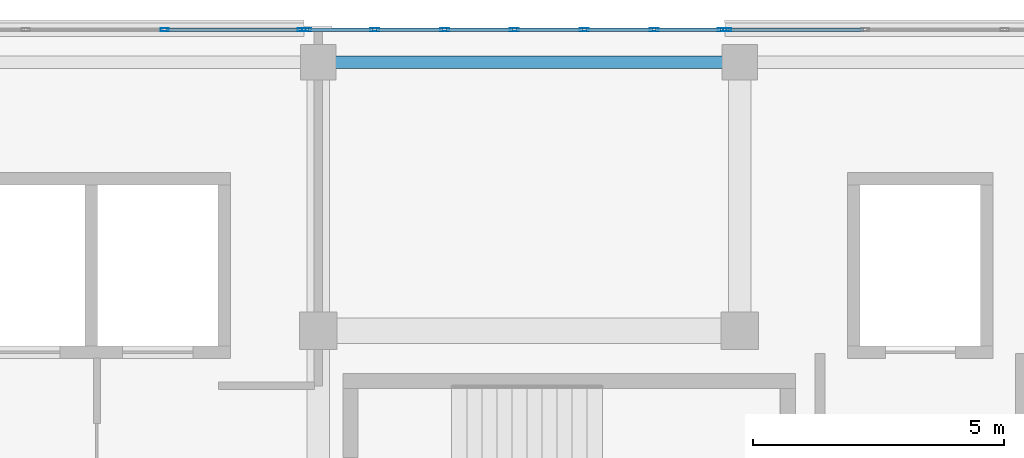
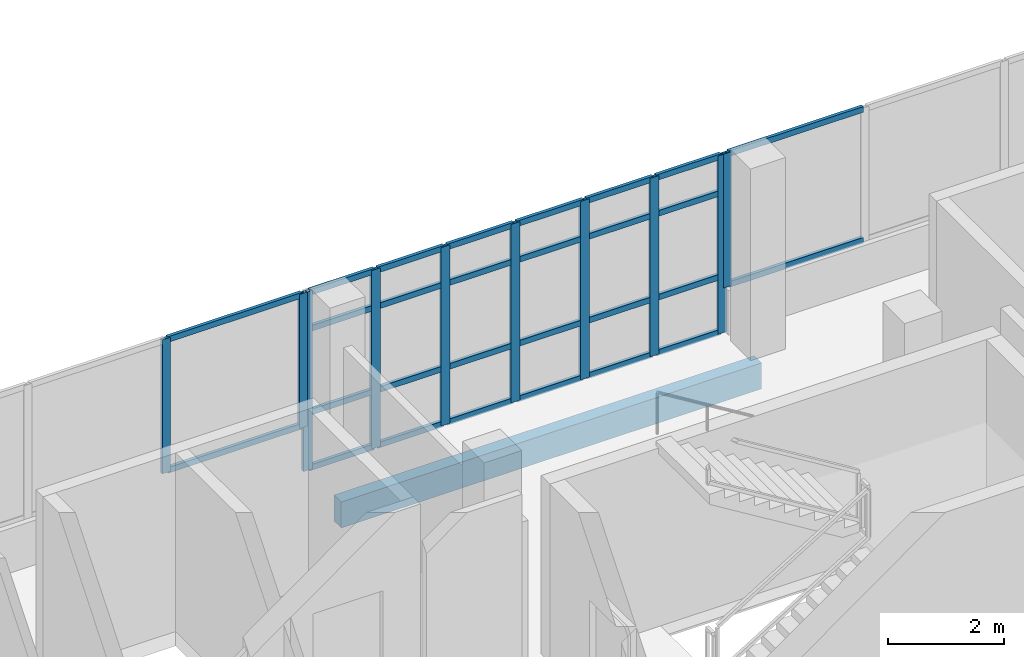
# One storey, part 53 of 101: 38 members, 1 beam, 3 elements without a shape of their own.
"""IFC4 building model written with IfcOpenShell, lengths in metres."""

from ifc_helpers import new_model, si_unit, direction, frame, origin, origin_2d, place, context, subcontext, project, spatial, rectangle, hollow_rectangle, extrude, material, material_profile, profile_set, type_object, element, aggregate, save


model = new_model("IFC4")

# Units and contexts
model_context = context("Model", 3, precision=1e-05, world=origin(), true_north=direction((0.0, 1.0)))
body_context = subcontext(model_context, "Body", "Model", "MODEL_VIEW")
ifc_project = project(units=[si_unit("LENGTHUNIT", "METRE"), si_unit("AREAUNIT", "SQUARE_METRE"), si_unit("VOLUMEUNIT", "CUBIC_METRE"), si_unit("PLANEANGLEUNIT", "RADIAN"), si_unit("MASSUNIT", "GRAM", prefix="KILO")], contexts=[model_context])

# Site, building, storey
site_placement = place(None, origin())
site = spatial("IfcSite", under=ifc_project, at=site_placement, CompositionType="ELEMENT")
building_placement = place(site_placement, origin())
building = spatial("IfcBuilding", under=site, at=building_placement, Name="Selatvlak General Hospital", CompositionType="ELEMENT")
storey_placement = place(building_placement, frame((0.0, 0.0, 19.199951171875)))
storey = spatial("IfcBuildingStorey", under=building, at=storey_placement, Name="L04", CompositionType="ELEMENT", Elevation=19.199951171875)

# Beam
ifc_material_1 = material(Name="Concrete C40/50", Category="concrete")
ifc_material_profile_1 = material_profile(ifc_material_1, rectangle(XDim=0.25, YDim=0.550048828125, at=origin_2d()), Name="RC-SP 250x550")
ifc_profile_set_1 = profile_set([ifc_material_profile_1], Name="Concrete C40/50")
beam_type = type_object("IfcBeamType", Name="BM-SP2", PredefinedType="SPANDREL", material=ifc_profile_set_1)
beam_placement = place(storey_placement, frame((132.0, 119.35009765625, -0.579833984375), z_axis=(1.0, 0.0, 0.0), x_axis=(0.0, 1.0, 0.0)))
element("IfcBeam", 1, at=beam_placement, inside=storey, type_object=beam_type, Name="Beam BMR-L04-1637", PredefinedType="SPANDREL", context=body_context, shape_type="SweptSolid", body=[
    extrude(rectangle(XDim=0.25, YDim=0.550048828125, at=origin_2d()), origin(), (0.0, 0.0, 1.0), 8.39990234375),
])

# Curtain wall, members
ifc_material_2 = material(Name="Solar-control Low-E double glazing", Category="glass")
curtain_wall_type_1 = type_object("IfcCurtainWallType", Name="CW-CW-01", PredefinedType="USERDEFINED", material=ifc_material_2)
curtain_wall_1_placement = place(storey_placement, origin())
curtain_wall_1 = element("IfcCurtainWall", 2, at=curtain_wall_1_placement, inside=storey, type_object=curtain_wall_type_1, Name="Glazed facade curtain wall CW-L04-0493", ObjectType="UNITISED CURTAIN WALL", PredefinedType="USERDEFINED")
ifc_material_3 = material(Name="Dark anodised aluminium mullion", Category="aluminium")
ifc_material_profile_2 = material_profile(ifc_material_3, hollow_rectangle(XDim=0.06494140625, YDim=0.159912109375, WallThickness=0.00390625, at=origin_2d()), Name="AL-MUL 65x160x4")
ifc_profile_set_2 = profile_set([ifc_material_profile_2], Name="Dark anodised aluminium mullion")
member_type_1 = type_object("IfcMemberType", Name="CWM-01", PredefinedType="MULLION", material=ifc_profile_set_2)
member_1_placement = place(storey_placement, frame((128.937255859375, 120.0, 0.93994140625), z_axis=(0.0, 0.0, 1.0), x_axis=(0.0, 1.0, 0.0)))
member_1 = element("IfcMember", 3, at=member_1_placement, type_object=member_type_1, Name="CW-01 mullion 3", PredefinedType="MULLION", context=body_context, shape_type="SweptSolid", body=[
    extrude(hollow_rectangle(XDim=0.06494140625, YDim=0.159912109375, WallThickness=0.00390625, at=origin_2d()), origin(), (0.0, 0.0, 1.0), 2.830078125),
])
member_2_placement = place(storey_placement, frame((131.67138671875, 120.0, 0.93994140625), z_axis=(0.0, 0.0, 1.0), x_axis=(0.0, 1.0, 0.0)))
member_2 = element("IfcMember", 4, at=member_2_placement, type_object=member_type_1, Name="CW-01 mullion 4", PredefinedType="MULLION", context=body_context, shape_type="SweptSolid", body=[
    extrude(hollow_rectangle(XDim=0.06494140625, YDim=0.159912109375, WallThickness=0.00390625, at=origin_2d()), origin(), (0.0, 0.0, 1.0), 2.830078125),
])

# Curtain wall, member
curtain_wall_2_placement = place(storey_placement, origin())
curtain_wall_2 = element("IfcCurtainWall", 5, at=curtain_wall_2_placement, inside=storey, type_object=curtain_wall_type_1, Name="Glazed facade curtain wall CW-L04-0495", ObjectType="UNITISED CURTAIN WALL", PredefinedType="USERDEFINED")
member_3_placement = place(storey_placement, frame((140.146484375, 120.0, 0.93994140625), z_axis=(0.0, 0.0, 1.0), x_axis=(0.0, 1.0, 0.0)))
member_3 = element("IfcMember", 6, at=member_3_placement, type_object=member_type_1, Name="CW-01 mullion 1", PredefinedType="MULLION", context=body_context, shape_type="SweptSolid", body=[
    extrude(hollow_rectangle(XDim=0.06494140625, YDim=0.159912109375, WallThickness=0.00390625, at=origin_2d()), origin(), (0.0, 0.0, 1.0), 2.830078125),
])

# Curtain wall, members
curtain_wall_type_2 = type_object("IfcCurtainWallType", Name="CW-CW-04", PredefinedType="USERDEFINED", material=ifc_material_2)
curtain_wall_3_placement = place(storey_placement, origin())
curtain_wall_3 = element("IfcCurtainWall", 7, at=curtain_wall_3_placement, inside=storey, type_object=curtain_wall_type_2, Name="Glazed facade curtain wall CW-L04-0494", ObjectType="STICK GLAZING WALL", PredefinedType="USERDEFINED")
ifc_material_profile_3 = material_profile(ifc_material_3, hollow_rectangle(XDim=0.06494140625, YDim=0.179931640625, WallThickness=0.00439453125, at=origin_2d()), Name="AL-MUL 65x180x4.5")
ifc_profile_set_3 = profile_set([ifc_material_profile_3], Name="Dark anodised aluminium mullion")
member_type_2 = type_object("IfcMemberType", Name="CWM-02", PredefinedType="MULLION", material=ifc_profile_set_3)
member_4_placement = place(storey_placement, frame((131.7666015625, 120.0, 0.0), z_axis=(0.0, 0.0, 1.0), x_axis=(0.0, 1.0, 0.0)))
member_4 = element("IfcMember", 8, at=member_4_placement, type_object=member_type_2, Name="CW-04 mullion 1", PredefinedType="MULLION", context=body_context, shape_type="SweptSolid", body=[
    extrude(hollow_rectangle(XDim=0.06494140625, YDim=0.179931640625, WallThickness=0.00439453125, at=origin_2d()), origin(), (0.0, 0.0, 1.0), 3.77001953125),
])
member_5_placement = place(storey_placement, frame((133.125732421875, 120.0, 0.0), z_axis=(0.0, 0.0, 1.0), x_axis=(0.0, 1.0, 0.0)))
member_5 = element("IfcMember", 9, at=member_5_placement, type_object=member_type_2, Name="CW-04 mullion 2", PredefinedType="MULLION", context=body_context, shape_type="SweptSolid", body=[
    extrude(hollow_rectangle(XDim=0.06494140625, YDim=0.179931640625, WallThickness=0.00439453125, at=origin_2d()), origin(), (0.0, 0.0, 1.0), 3.77001953125),
])
member_6_placement = place(storey_placement, frame((134.517333984375, 120.0, 0.0), z_axis=(0.0, 0.0, 1.0), x_axis=(0.0, 1.0, 0.0)))
member_6 = element("IfcMember", 10, at=member_6_placement, type_object=member_type_2, Name="CW-04 mullion 3", PredefinedType="MULLION", context=body_context, shape_type="SweptSolid", body=[
    extrude(hollow_rectangle(XDim=0.06494140625, YDim=0.179931640625, WallThickness=0.00439453125, at=origin_2d()), origin(), (0.0, 0.0, 1.0), 3.77001953125),
])
member_7_placement = place(storey_placement, frame((135.908935546875, 120.0, 0.0), z_axis=(0.0, 0.0, 1.0), x_axis=(0.0, 1.0, 0.0)))
member_7 = element("IfcMember", 11, at=member_7_placement, type_object=member_type_2, Name="CW-04 mullion 4", PredefinedType="MULLION", context=body_context, shape_type="SweptSolid", body=[
    extrude(hollow_rectangle(XDim=0.06494140625, YDim=0.179931640625, WallThickness=0.00439453125, at=origin_2d()), origin(), (0.0, 0.0, 1.0), 3.77001953125),
])
member_8_placement = place(storey_placement, frame((137.30078125, 120.0, 0.0), z_axis=(0.0, 0.0, 1.0), x_axis=(0.0, 1.0, 0.0)))
member_8 = element("IfcMember", 12, at=member_8_placement, type_object=member_type_2, Name="CW-04 mullion 5", PredefinedType="MULLION", context=body_context, shape_type="SweptSolid", body=[
    extrude(hollow_rectangle(XDim=0.06494140625, YDim=0.179931640625, WallThickness=0.00439453125, at=origin_2d()), origin(), (0.0, 0.0, 1.0), 3.77001953125),
])
member_9_placement = place(storey_placement, frame((138.6923828125, 120.0, 0.0), z_axis=(0.0, 0.0, 1.0), x_axis=(0.0, 1.0, 0.0)))
member_9 = element("IfcMember", 13, at=member_9_placement, type_object=member_type_2, Name="CW-04 mullion 6", PredefinedType="MULLION", context=body_context, shape_type="SweptSolid", body=[
    extrude(hollow_rectangle(XDim=0.06494140625, YDim=0.179931640625, WallThickness=0.00439453125, at=origin_2d()), origin(), (0.0, 0.0, 1.0), 3.77001953125),
])
member_10_placement = place(storey_placement, frame((140.051513671875, 120.0, 0.0), z_axis=(0.0, 0.0, 1.0), x_axis=(0.0, 1.0, 0.0)))
member_10 = element("IfcMember", 14, at=member_10_placement, type_object=member_type_2, Name="CW-04 mullion 7", PredefinedType="MULLION", context=body_context, shape_type="SweptSolid", body=[
    extrude(hollow_rectangle(XDim=0.06494140625, YDim=0.179931640625, WallThickness=0.00439453125, at=origin_2d()), origin(), (0.0, 0.0, 1.0), 3.77001953125),
])

# Member
ifc_material_profile_4 = material_profile(ifc_material_3, hollow_rectangle(XDim=0.06494140625, YDim=0.1201171875, WallThickness=0.00390625, at=origin_2d()), Name="AL-TRN 65x120x4")
ifc_profile_set_4 = profile_set([ifc_material_profile_4], Name="Dark anodised aluminium mullion")
member_type_3 = type_object("IfcMemberType", Name="CWT-01", PredefinedType="USERDEFINED", material=ifc_profile_set_4)
member_11_placement = place(storey_placement, frame((128.9697265625, 120.0, 0.97265625), z_axis=(1.0, 0.0, 0.0), x_axis=(0.0, 1.0, 0.0)))
member_11 = element("IfcMember", 15, at=member_11_placement, type_object=member_type_3, Name="CW-01 transom 3.1", ObjectType="TRANSOM", PredefinedType="USERDEFINED", context=body_context, shape_type="SweptSolid", body=[
    extrude(hollow_rectangle(XDim=0.06494140625, YDim=0.1201171875, WallThickness=0.00390625, at=origin_2d()), origin(), (0.0, 0.0, 1.0), 2.669189453125),
])

member_12_placement = place(storey_placement, frame((128.9697265625, 120.0, 3.737548828125), z_axis=(1.0, 0.0, 0.0), x_axis=(0.0, 1.0, 0.0)))
member_12 = element("IfcMember", 16, at=member_12_placement, type_object=member_type_3, Name="CW-01 transom 3.2", ObjectType="TRANSOM", PredefinedType="USERDEFINED", context=body_context, shape_type="SweptSolid", body=[
    extrude(hollow_rectangle(XDim=0.06494140625, YDim=0.1201171875, WallThickness=0.00390625, at=origin_2d()), origin(), (0.0, 0.0, 1.0), 2.669189453125),
])

aggregate(curtain_wall_1, [member_1, member_2, member_11, member_12])

member_13_placement = place(storey_placement, frame((131.799072265625, 120.0, 0.032470703125), z_axis=(1.0, 0.0, 0.0), x_axis=(0.0, 1.0, 0.0)))
member_13 = element("IfcMember", 17, at=member_13_placement, type_object=member_type_3, Name="CW-04 transom 1.1", ObjectType="TRANSOM", PredefinedType="USERDEFINED", context=body_context, shape_type="SweptSolid", body=[
    extrude(hollow_rectangle(XDim=0.06494140625, YDim=0.1201171875, WallThickness=0.00390625, at=origin_2d()), origin(), (0.0, 0.0, 1.0), 1.294189453125),
])

member_14_placement = place(storey_placement, frame((131.799072265625, 120.0, 1.199951171875), z_axis=(1.0, 0.0, 0.0), x_axis=(0.0, 1.0, 0.0)))
member_14 = element("IfcMember", 18, at=member_14_placement, type_object=member_type_3, Name="CW-04 transom 1.2", ObjectType="TRANSOM", PredefinedType="USERDEFINED", context=body_context, shape_type="SweptSolid", body=[
    extrude(hollow_rectangle(XDim=0.06494140625, YDim=0.1201171875, WallThickness=0.00390625, at=origin_2d()), origin(), (0.0, 0.0, 1.0), 1.294189453125),
])

member_15_placement = place(storey_placement, frame((131.799072265625, 120.0, 2.969970703125), z_axis=(1.0, 0.0, 0.0), x_axis=(0.0, 1.0, 0.0)))
member_15 = element("IfcMember", 19, at=member_15_placement, type_object=member_type_3, Name="CW-04 transom 1.3", ObjectType="TRANSOM", PredefinedType="USERDEFINED", context=body_context, shape_type="SweptSolid", body=[
    extrude(hollow_rectangle(XDim=0.06494140625, YDim=0.1201171875, WallThickness=0.00390625, at=origin_2d()), origin(), (0.0, 0.0, 1.0), 1.294189453125),
])

member_16_placement = place(storey_placement, frame((131.799072265625, 120.0, 3.737548828125), z_axis=(1.0, 0.0, 0.0), x_axis=(0.0, 1.0, 0.0)))
member_16 = element("IfcMember", 20, at=member_16_placement, type_object=member_type_3, Name="CW-04 transom 1.4", ObjectType="TRANSOM", PredefinedType="USERDEFINED", context=body_context, shape_type="SweptSolid", body=[
    extrude(hollow_rectangle(XDim=0.06494140625, YDim=0.1201171875, WallThickness=0.00390625, at=origin_2d()), origin(), (0.0, 0.0, 1.0), 1.294189453125),
])

member_17_placement = place(storey_placement, frame((133.158203125, 120.0, 0.032470703125), z_axis=(1.0, 0.0, 0.0), x_axis=(0.0, 1.0, 0.0)))
member_17 = element("IfcMember", 21, at=member_17_placement, type_object=member_type_3, Name="CW-04 transom 2.1", ObjectType="TRANSOM", PredefinedType="USERDEFINED", context=body_context, shape_type="SweptSolid", body=[
    extrude(hollow_rectangle(XDim=0.06494140625, YDim=0.1201171875, WallThickness=0.00390625, at=origin_2d()), origin(), (0.0, 0.0, 1.0), 1.32666015625),
])

member_18_placement = place(storey_placement, frame((133.158203125, 120.0, 1.199951171875), z_axis=(1.0, 0.0, 0.0), x_axis=(0.0, 1.0, 0.0)))
member_18 = element("IfcMember", 22, at=member_18_placement, type_object=member_type_3, Name="CW-04 transom 2.2", ObjectType="TRANSOM", PredefinedType="USERDEFINED", context=body_context, shape_type="SweptSolid", body=[
    extrude(hollow_rectangle(XDim=0.06494140625, YDim=0.1201171875, WallThickness=0.00390625, at=origin_2d()), origin(), (0.0, 0.0, 1.0), 1.32666015625),
])

member_19_placement = place(storey_placement, frame((133.158203125, 120.0, 2.969970703125), z_axis=(1.0, 0.0, 0.0), x_axis=(0.0, 1.0, 0.0)))
member_19 = element("IfcMember", 23, at=member_19_placement, type_object=member_type_3, Name="CW-04 transom 2.3", ObjectType="TRANSOM", PredefinedType="USERDEFINED", context=body_context, shape_type="SweptSolid", body=[
    extrude(hollow_rectangle(XDim=0.06494140625, YDim=0.1201171875, WallThickness=0.00390625, at=origin_2d()), origin(), (0.0, 0.0, 1.0), 1.32666015625),
])

member_20_placement = place(storey_placement, frame((133.158203125, 120.0, 3.737548828125), z_axis=(1.0, 0.0, 0.0), x_axis=(0.0, 1.0, 0.0)))
member_20 = element("IfcMember", 24, at=member_20_placement, type_object=member_type_3, Name="CW-04 transom 2.4", ObjectType="TRANSOM", PredefinedType="USERDEFINED", context=body_context, shape_type="SweptSolid", body=[
    extrude(hollow_rectangle(XDim=0.06494140625, YDim=0.1201171875, WallThickness=0.00390625, at=origin_2d()), origin(), (0.0, 0.0, 1.0), 1.32666015625),
])

member_21_placement = place(storey_placement, frame((134.5498046875, 120.0, 0.032470703125), z_axis=(1.0, 0.0, 0.0), x_axis=(0.0, 1.0, 0.0)))
member_21 = element("IfcMember", 25, at=member_21_placement, type_object=member_type_3, Name="CW-04 transom 3.1", ObjectType="TRANSOM", PredefinedType="USERDEFINED", context=body_context, shape_type="SweptSolid", body=[
    extrude(hollow_rectangle(XDim=0.06494140625, YDim=0.1201171875, WallThickness=0.00390625, at=origin_2d()), origin(), (0.0, 0.0, 1.0), 1.32666015625),
])

member_22_placement = place(storey_placement, frame((134.5498046875, 120.0, 1.199951171875), z_axis=(1.0, 0.0, 0.0), x_axis=(0.0, 1.0, 0.0)))
member_22 = element("IfcMember", 26, at=member_22_placement, type_object=member_type_3, Name="CW-04 transom 3.2", ObjectType="TRANSOM", PredefinedType="USERDEFINED", context=body_context, shape_type="SweptSolid", body=[
    extrude(hollow_rectangle(XDim=0.06494140625, YDim=0.1201171875, WallThickness=0.00390625, at=origin_2d()), origin(), (0.0, 0.0, 1.0), 1.32666015625),
])

member_23_placement = place(storey_placement, frame((134.5498046875, 120.0, 2.969970703125), z_axis=(1.0, 0.0, 0.0), x_axis=(0.0, 1.0, 0.0)))
member_23 = element("IfcMember", 27, at=member_23_placement, type_object=member_type_3, Name="CW-04 transom 3.3", ObjectType="TRANSOM", PredefinedType="USERDEFINED", context=body_context, shape_type="SweptSolid", body=[
    extrude(hollow_rectangle(XDim=0.06494140625, YDim=0.1201171875, WallThickness=0.00390625, at=origin_2d()), origin(), (0.0, 0.0, 1.0), 1.32666015625),
])

member_24_placement = place(storey_placement, frame((134.5498046875, 120.0, 3.737548828125), z_axis=(1.0, 0.0, 0.0), x_axis=(0.0, 1.0, 0.0)))
member_24 = element("IfcMember", 28, at=member_24_placement, type_object=member_type_3, Name="CW-04 transom 3.4", ObjectType="TRANSOM", PredefinedType="USERDEFINED", context=body_context, shape_type="SweptSolid", body=[
    extrude(hollow_rectangle(XDim=0.06494140625, YDim=0.1201171875, WallThickness=0.00390625, at=origin_2d()), origin(), (0.0, 0.0, 1.0), 1.32666015625),
])

member_25_placement = place(storey_placement, frame((135.94140625, 120.0, 0.032470703125), z_axis=(1.0, 0.0, 0.0), x_axis=(0.0, 1.0, 0.0)))
member_25 = element("IfcMember", 29, at=member_25_placement, type_object=member_type_3, Name="CW-04 transom 4.1", ObjectType="TRANSOM", PredefinedType="USERDEFINED", context=body_context, shape_type="SweptSolid", body=[
    extrude(hollow_rectangle(XDim=0.06494140625, YDim=0.1201171875, WallThickness=0.00390625, at=origin_2d()), origin(), (0.0, 0.0, 1.0), 1.32666015625),
])

member_26_placement = place(storey_placement, frame((135.94140625, 120.0, 1.199951171875), z_axis=(1.0, 0.0, 0.0), x_axis=(0.0, 1.0, 0.0)))
member_26 = element("IfcMember", 30, at=member_26_placement, type_object=member_type_3, Name="CW-04 transom 4.2", ObjectType="TRANSOM", PredefinedType="USERDEFINED", context=body_context, shape_type="SweptSolid", body=[
    extrude(hollow_rectangle(XDim=0.06494140625, YDim=0.1201171875, WallThickness=0.00390625, at=origin_2d()), origin(), (0.0, 0.0, 1.0), 1.32666015625),
])

member_27_placement = place(storey_placement, frame((135.94140625, 120.0, 2.969970703125), z_axis=(1.0, 0.0, 0.0), x_axis=(0.0, 1.0, 0.0)))
member_27 = element("IfcMember", 31, at=member_27_placement, type_object=member_type_3, Name="CW-04 transom 4.3", ObjectType="TRANSOM", PredefinedType="USERDEFINED", context=body_context, shape_type="SweptSolid", body=[
    extrude(hollow_rectangle(XDim=0.06494140625, YDim=0.1201171875, WallThickness=0.00390625, at=origin_2d()), origin(), (0.0, 0.0, 1.0), 1.32666015625),
])

member_28_placement = place(storey_placement, frame((135.94140625, 120.0, 3.737548828125), z_axis=(1.0, 0.0, 0.0), x_axis=(0.0, 1.0, 0.0)))
member_28 = element("IfcMember", 32, at=member_28_placement, type_object=member_type_3, Name="CW-04 transom 4.4", ObjectType="TRANSOM", PredefinedType="USERDEFINED", context=body_context, shape_type="SweptSolid", body=[
    extrude(hollow_rectangle(XDim=0.06494140625, YDim=0.1201171875, WallThickness=0.00390625, at=origin_2d()), origin(), (0.0, 0.0, 1.0), 1.32666015625),
])

member_29_placement = place(storey_placement, frame((137.333251953125, 120.0, 0.032470703125), z_axis=(1.0, 0.0, 0.0), x_axis=(0.0, 1.0, 0.0)))
member_29 = element("IfcMember", 33, at=member_29_placement, type_object=member_type_3, Name="CW-04 transom 5.1", ObjectType="TRANSOM", PredefinedType="USERDEFINED", context=body_context, shape_type="SweptSolid", body=[
    extrude(hollow_rectangle(XDim=0.06494140625, YDim=0.1201171875, WallThickness=0.00390625, at=origin_2d()), origin(), (0.0, 0.0, 1.0), 1.32666015625),
])

member_30_placement = place(storey_placement, frame((137.333251953125, 120.0, 1.199951171875), z_axis=(1.0, 0.0, 0.0), x_axis=(0.0, 1.0, 0.0)))
member_30 = element("IfcMember", 34, at=member_30_placement, type_object=member_type_3, Name="CW-04 transom 5.2", ObjectType="TRANSOM", PredefinedType="USERDEFINED", context=body_context, shape_type="SweptSolid", body=[
    extrude(hollow_rectangle(XDim=0.06494140625, YDim=0.1201171875, WallThickness=0.00390625, at=origin_2d()), origin(), (0.0, 0.0, 1.0), 1.32666015625),
])

member_31_placement = place(storey_placement, frame((137.333251953125, 120.0, 2.969970703125), z_axis=(1.0, 0.0, 0.0), x_axis=(0.0, 1.0, 0.0)))
member_31 = element("IfcMember", 35, at=member_31_placement, type_object=member_type_3, Name="CW-04 transom 5.3", ObjectType="TRANSOM", PredefinedType="USERDEFINED", context=body_context, shape_type="SweptSolid", body=[
    extrude(hollow_rectangle(XDim=0.06494140625, YDim=0.1201171875, WallThickness=0.00390625, at=origin_2d()), origin(), (0.0, 0.0, 1.0), 1.32666015625),
])

member_32_placement = place(storey_placement, frame((137.333251953125, 120.0, 3.737548828125), z_axis=(1.0, 0.0, 0.0), x_axis=(0.0, 1.0, 0.0)))
member_32 = element("IfcMember", 36, at=member_32_placement, type_object=member_type_3, Name="CW-04 transom 5.4", ObjectType="TRANSOM", PredefinedType="USERDEFINED", context=body_context, shape_type="SweptSolid", body=[
    extrude(hollow_rectangle(XDim=0.06494140625, YDim=0.1201171875, WallThickness=0.00390625, at=origin_2d()), origin(), (0.0, 0.0, 1.0), 1.32666015625),
])

member_33_placement = place(storey_placement, frame((138.724853515625, 120.0, 0.032470703125), z_axis=(1.0, 0.0, 0.0), x_axis=(0.0, 1.0, 0.0)))
member_33 = element("IfcMember", 37, at=member_33_placement, type_object=member_type_3, Name="CW-04 transom 6.1", ObjectType="TRANSOM", PredefinedType="USERDEFINED", context=body_context, shape_type="SweptSolid", body=[
    extrude(hollow_rectangle(XDim=0.06494140625, YDim=0.1201171875, WallThickness=0.00390625, at=origin_2d()), origin(), (0.0, 0.0, 1.0), 1.294189453125),
])

member_34_placement = place(storey_placement, frame((138.724853515625, 120.0, 1.199951171875), z_axis=(1.0, 0.0, 0.0), x_axis=(0.0, 1.0, 0.0)))
member_34 = element("IfcMember", 38, at=member_34_placement, type_object=member_type_3, Name="CW-04 transom 6.2", ObjectType="TRANSOM", PredefinedType="USERDEFINED", context=body_context, shape_type="SweptSolid", body=[
    extrude(hollow_rectangle(XDim=0.06494140625, YDim=0.1201171875, WallThickness=0.00390625, at=origin_2d()), origin(), (0.0, 0.0, 1.0), 1.294189453125),
])

member_35_placement = place(storey_placement, frame((138.724853515625, 120.0, 2.969970703125), z_axis=(1.0, 0.0, 0.0), x_axis=(0.0, 1.0, 0.0)))
member_35 = element("IfcMember", 39, at=member_35_placement, type_object=member_type_3, Name="CW-04 transom 6.3", ObjectType="TRANSOM", PredefinedType="USERDEFINED", context=body_context, shape_type="SweptSolid", body=[
    extrude(hollow_rectangle(XDim=0.06494140625, YDim=0.1201171875, WallThickness=0.00390625, at=origin_2d()), origin(), (0.0, 0.0, 1.0), 1.294189453125),
])

member_36_placement = place(storey_placement, frame((138.724853515625, 120.0, 3.737548828125), z_axis=(1.0, 0.0, 0.0), x_axis=(0.0, 1.0, 0.0)))
member_36 = element("IfcMember", 40, at=member_36_placement, type_object=member_type_3, Name="CW-04 transom 6.4", ObjectType="TRANSOM", PredefinedType="USERDEFINED", context=body_context, shape_type="SweptSolid", body=[
    extrude(hollow_rectangle(XDim=0.06494140625, YDim=0.1201171875, WallThickness=0.00390625, at=origin_2d()), origin(), (0.0, 0.0, 1.0), 1.294189453125),
])

aggregate(curtain_wall_3, [member_4, member_5, member_6, member_7, member_8, member_9, member_10, member_13, member_14, member_15, member_16, member_17, member_18, member_19, member_20, member_21, member_22, member_23, member_24, member_25, member_26, member_27, member_28, member_29, member_30, member_31, member_32, member_33, member_34, member_35, member_36])

member_37_placement = place(storey_placement, frame((140.178955078125, 120.0, 0.97265625), z_axis=(1.0, 0.0, 0.0), x_axis=(0.0, 1.0, 0.0)))
member_37 = element("IfcMember", 41, at=member_37_placement, type_object=member_type_3, Name="CW-01 transom 1.1", ObjectType="TRANSOM", PredefinedType="USERDEFINED", context=body_context, shape_type="SweptSolid", body=[
    extrude(hollow_rectangle(XDim=0.06494140625, YDim=0.1201171875, WallThickness=0.00390625, at=origin_2d()), origin(), (0.0, 0.0, 1.0), 2.685791015625),
])

member_38_placement = place(storey_placement, frame((140.178955078125, 120.0, 3.737548828125), z_axis=(1.0, 0.0, 0.0), x_axis=(0.0, 1.0, 0.0)))
member_38 = element("IfcMember", 42, at=member_38_placement, type_object=member_type_3, Name="CW-01 transom 1.2", ObjectType="TRANSOM", PredefinedType="USERDEFINED", context=body_context, shape_type="SweptSolid", body=[
    extrude(hollow_rectangle(XDim=0.06494140625, YDim=0.1201171875, WallThickness=0.00390625, at=origin_2d()), origin(), (0.0, 0.0, 1.0), 2.685791015625),
])

aggregate(curtain_wall_2, [member_3, member_37, member_38])

save(model, "model.ifc")
